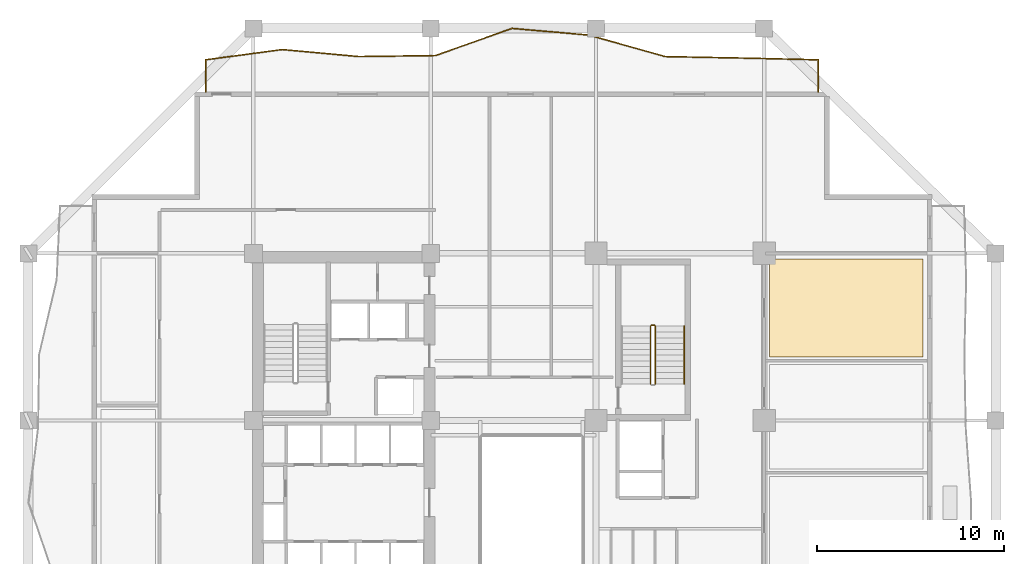
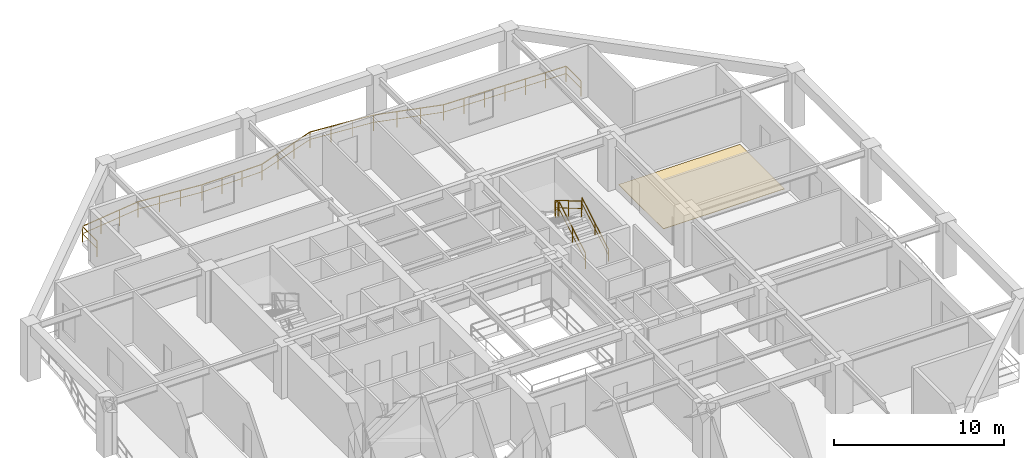
# One storey, part 12 of 13: 5 railings, 1 covering.
"""IFC4 building model written with IfcOpenShell, lengths in metres."""

from ifc_helpers import new_model, si_unit, direction, frame, origin, origin_2d, place, context, subcontext, project, spatial, polyline, rectangle, outline, extrude, material, layer, layer_set, type_object, element, save


model = new_model("IFC4")

# Units and contexts
model_context = context("Model", 3, precision=1e-05, world=origin(), true_north=direction((0.0, 1.0)))
body_context = subcontext(model_context, "Body", "Model", "MODEL_VIEW")
ifc_project = project(units=[si_unit("LENGTHUNIT", "METRE"), si_unit("AREAUNIT", "SQUARE_METRE"), si_unit("VOLUMEUNIT", "CUBIC_METRE"), si_unit("PLANEANGLEUNIT", "RADIAN"), si_unit("MASSUNIT", "GRAM", prefix="KILO")], contexts=[model_context])

# Site, building, storey
site_placement = place(None, origin())
site = spatial("IfcSite", under=ifc_project, at=site_placement, CompositionType="ELEMENT")
building_placement = place(site_placement, origin())
building = spatial("IfcBuilding", under=site, at=building_placement, Name="Kundavana Baori Tower", CompositionType="ELEMENT")
storey_placement = place(building_placement, frame((0.0, 0.0, 58.0)))
storey = spatial("IfcBuildingStorey", under=building, at=storey_placement, Name="L13", CompositionType="ELEMENT", Elevation=58.0)

# Covering
ifc_material_1 = material(Name="Honed Kota Stone and Terrazzo Flooring", Category="masonry")
ifc_layer = layer(ifc_material_1, 0.030029296875, Name="COV-INT-FLR")
ifc_layer_set = layer_set([ifc_layer], Name="Honed Kota Stone and Terrazzo Flooring")
covering_type = type_object("IfcCoveringType", Name="COV-INT-FLR", PredefinedType="FLOORING", material=ifc_layer_set)
covering_placement = place(storey_placement, origin())
element("IfcCovering", 1, at=covering_placement, inside=storey, type_object=covering_type, Name="L13 Room Finished Stone Flooring 11", PredefinedType="FLOORING", context=body_context, shape_type="SweptSolid", body=[
    extrude(outline(polyline([(43.10009765625, 36.39990234375), (51.320068359375, 36.39990234375), (51.320068359375, 41.64990234375), (43.10009765625, 41.64990234375), (43.10009765625, 36.39990234375)])), origin(), (0.0, 0.0, 1.0), 0.030029296875),
])

# Railings
ifc_material_2 = material(Name="Architectural Patinated Bronze Metalwork")
railing_type_1 = type_object("IfcRailingType", Name="RL-BAL-1150", PredefinedType="BALUSTRADE", material=ifc_material_2)
railing_1_placement = place(storey_placement, frame((12.89990234375, 50.60009765625, 0.0)))
element("IfcRailing", 2, at=railing_1_placement, inside=storey, type_object=railing_type_1, Name="L13 Loggia Balcony Balustrade N", PredefinedType="BALUSTRADE", context=body_context, shape_type="SweptSolid", body=[
    extrude(rectangle(XDim=0.048095703125, YDim=0.048095703125, at=origin_2d()), frame((0.0, 0.0, 1.1259765625), z_axis=(0.0, 1.0, 0.0), x_axis=(-1.0, 0.0, 0.0)), (0.0, 0.0, 1.0), 1.719970703125),
    extrude(rectangle(XDim=0.03125, YDim=0.03125, at=origin_2d()), frame((0.0, 0.0, 0.597900390625), z_axis=(0.0, 1.0, 0.0), x_axis=(-1.0, 0.0, 0.0)), (0.0, 0.0, 1.0), 1.719970703125),
    extrude(rectangle(XDim=0.048095703125, YDim=0.048095703125, at=origin_2d()), frame((0.0, 1.719970703125, 1.1259765625), z_axis=(0.991159730328, 0.132673995104, 0.0), x_axis=(-0.132673995104, 0.991159730328, 0.0)), (0.0, 0.0, 1.0), 4.13671875),
    extrude(rectangle(XDim=0.03125, YDim=0.03125, at=origin_2d()), frame((0.0, 1.719970703125, 0.597900390625), z_axis=(0.991159730328, 0.132673995104, 0.0), x_axis=(-0.132673995104, 0.991159730328, 0.0)), (0.0, 0.0, 1.0), 4.13671875),
    extrude(rectangle(XDim=0.048095703125, YDim=0.048095703125, at=origin_2d()), frame((4.10009765625, 2.268798828125, 1.1259765625), z_axis=(0.995843480493, -0.091081075744, 0.0), x_axis=(0.091081075744, 0.995843480493, 0.0)), (0.0, 0.0, 1.0), 4.1171875),
    extrude(rectangle(XDim=0.03125, YDim=0.03125, at=origin_2d()), frame((4.10009765625, 2.268798828125, 0.597900390625), z_axis=(0.995843480493, -0.091081075744, 0.0), x_axis=(0.091081075744, 0.995843480493, 0.0)), (0.0, 0.0, 1.0), 4.1171875),
    extrude(rectangle(XDim=0.048095703125, YDim=0.048095703125, at=origin_2d()), frame((8.2001953125, 1.893798828125, 1.1259765625), z_axis=(0.999915749686, 0.012980505772, 0.0), x_axis=(-0.012980505772, 0.999915749686, 0.0)), (0.0, 0.0, 1.0), 4.10009765625),
    extrude(rectangle(XDim=0.03125, YDim=0.03125, at=origin_2d()), frame((8.2001953125, 1.893798828125, 0.597900390625), z_axis=(0.999915749686, 0.012980505772, 0.0), x_axis=(-0.012980505772, 0.999915749686, 0.0)), (0.0, 0.0, 1.0), 4.10009765625),
    extrude(rectangle(XDim=0.048095703125, YDim=0.048095703125, at=origin_2d()), frame((12.300048828125, 1.947021484375, 1.1259765625), z_axis=(0.942572017492, 0.334002981785, 0.0), x_axis=(-0.334002981785, 0.942572017492, 0.0)), (0.0, 0.0, 1.0), 4.349853515625),
    extrude(rectangle(XDim=0.03125, YDim=0.03125, at=origin_2d()), frame((12.300048828125, 1.947021484375, 0.597900390625), z_axis=(0.942572017492, 0.334002981785, 0.0), x_axis=(-0.334002981785, 0.942572017492, 0.0)), (0.0, 0.0, 1.0), 4.349853515625),
    extrude(rectangle(XDim=0.048095703125, YDim=0.048095703125, at=origin_2d()), frame((16.400146484375, 3.39990234375, 1.1259765625), z_axis=(0.996272576419, -0.086260961479, 0.0), x_axis=(0.086260961479, 0.996272576419, 0.0)), (0.0, 0.0, 1.0), 4.115234375),
    extrude(rectangle(XDim=0.03125, YDim=0.03125, at=origin_2d()), frame((16.400146484375, 3.39990234375, 0.597900390625), z_axis=(0.996272576419, -0.086260961479, 0.0), x_axis=(0.086260961479, 0.996272576419, 0.0)), (0.0, 0.0, 1.0), 4.115234375),
    extrude(rectangle(XDim=0.048095703125, YDim=0.048095703125, at=origin_2d()), frame((20.5, 3.044921875, 1.1259765625), z_axis=(0.962775041991, -0.270303937298, 0.0), x_axis=(0.270303937298, 0.962775041991, 0.0)), (0.0, 0.0, 1.0), 4.258544921875),
    extrude(rectangle(XDim=0.03125, YDim=0.03125, at=origin_2d()), frame((20.5, 3.044921875, 0.597900390625), z_axis=(0.962775041991, -0.270303937298, 0.0), x_axis=(0.270303937298, 0.962775041991, 0.0)), (0.0, 0.0, 1.0), 4.258544921875),
    extrude(rectangle(XDim=0.048095703125, YDim=0.048095703125, at=origin_2d()), frame((24.60009765625, 1.893798828125, 1.1259765625), z_axis=(0.999810489297, -0.01946754972, 0.0), x_axis=(0.01946754972, 0.999810489297, 0.0)), (0.0, 0.0, 1.0), 4.100830078125),
    extrude(rectangle(XDim=0.03125, YDim=0.03125, at=origin_2d()), frame((24.60009765625, 1.893798828125, 0.597900390625), z_axis=(0.999810489297, -0.01946754972, 0.0), x_axis=(0.01946754972, 0.999810489297, 0.0)), (0.0, 0.0, 1.0), 4.100830078125),
    extrude(rectangle(XDim=0.048095703125, YDim=0.048095703125, at=origin_2d()), frame((28.7001953125, 1.81396484375, 1.1259765625), z_axis=(0.99973729779, -0.02292019649, 0.0), x_axis=(0.02292019649, 0.99973729779, 0.0)), (0.0, 0.0, 1.0), 4.100830078125),
    extrude(rectangle(XDim=0.03125, YDim=0.03125, at=origin_2d()), frame((28.7001953125, 1.81396484375, 0.597900390625), z_axis=(0.99973729779, -0.02292019649, 0.0), x_axis=(0.02292019649, 0.99973729779, 0.0)), (0.0, 0.0, 1.0), 4.100830078125),
    extrude(rectangle(XDim=0.048095703125, YDim=0.048095703125, at=origin_2d()), frame((32.800048828125, 1.719970703125, 1.1259765625), z_axis=(0.0, -1.0, 0.0), x_axis=(1.0, 0.0, 0.0)), (0.0, 0.0, 1.0), 1.719970703125),
    extrude(rectangle(XDim=0.03125, YDim=0.03125, at=origin_2d()), frame((32.800048828125, 1.719970703125, 0.597900390625), z_axis=(0.0, -1.0, 0.0), x_axis=(1.0, 0.0, 0.0)), (0.0, 0.0, 1.0), 1.719970703125),
    extrude(rectangle(XDim=0.0419921875, YDim=0.0419921875, at=origin_2d()), origin(), (0.0, 0.0, 1.0), 1.101806640625),
    extrude(rectangle(XDim=0.0419921875, YDim=0.0419921875, at=origin_2d()), frame((0.0, 1.719970703125, 0.0)), (0.0, 0.0, 1.0), 1.101806640625),
    extrude(rectangle(XDim=0.0419921875, YDim=0.0419921875, at=origin_2d()), frame((1.36669921875, 1.90283203125, 0.0)), (0.0, 0.0, 1.0), 1.101806640625),
    extrude(rectangle(XDim=0.0419921875, YDim=0.0419921875, at=origin_2d()), frame((2.7333984375, 2.0859375, 0.0)), (0.0, 0.0, 1.0), 1.101806640625),
    extrude(rectangle(XDim=0.0419921875, YDim=0.0419921875, at=origin_2d()), frame((4.10009765625, 2.268798828125, 0.0)), (0.0, 0.0, 1.0), 1.101806640625),
    extrude(rectangle(XDim=0.0419921875, YDim=0.0419921875, at=origin_2d()), frame((5.466796875, 2.143798828125, 0.0)), (0.0, 0.0, 1.0), 1.101806640625),
    extrude(rectangle(XDim=0.0419921875, YDim=0.0419921875, at=origin_2d()), frame((6.83349609375, 2.018798828125, 0.0)), (0.0, 0.0, 1.0), 1.101806640625),
    extrude(rectangle(XDim=0.0419921875, YDim=0.0419921875, at=origin_2d()), frame((8.2001953125, 1.893798828125, 0.0)), (0.0, 0.0, 1.0), 1.101806640625),
    extrude(rectangle(XDim=0.0419921875, YDim=0.0419921875, at=origin_2d()), frame((9.56689453125, 1.91162109375, 0.0)), (0.0, 0.0, 1.0), 1.101806640625),
    extrude(rectangle(XDim=0.0419921875, YDim=0.0419921875, at=origin_2d()), frame((10.933349609375, 1.92919921875, 0.0)), (0.0, 0.0, 1.0), 1.101806640625),
    extrude(rectangle(XDim=0.0419921875, YDim=0.0419921875, at=origin_2d()), frame((12.300048828125, 1.947021484375, 0.0)), (0.0, 0.0, 1.0), 1.101806640625),
    extrude(rectangle(XDim=0.0419921875, YDim=0.0419921875, at=origin_2d()), frame((13.666748046875, 2.431396484375, 0.0)), (0.0, 0.0, 1.0), 1.101806640625),
    extrude(rectangle(XDim=0.0419921875, YDim=0.0419921875, at=origin_2d()), frame((15.033447265625, 2.91552734375, 0.0)), (0.0, 0.0, 1.0), 1.101806640625),
    extrude(rectangle(XDim=0.0419921875, YDim=0.0419921875, at=origin_2d()), frame((16.400146484375, 3.39990234375, 0.0)), (0.0, 0.0, 1.0), 1.101806640625),
    extrude(rectangle(XDim=0.0419921875, YDim=0.0419921875, at=origin_2d()), frame((17.766845703125, 3.281494140625, 0.0)), (0.0, 0.0, 1.0), 1.101806640625),
    extrude(rectangle(XDim=0.0419921875, YDim=0.0419921875, at=origin_2d()), frame((19.13330078125, 3.163330078125, 0.0)), (0.0, 0.0, 1.0), 1.101806640625),
    extrude(rectangle(XDim=0.0419921875, YDim=0.0419921875, at=origin_2d()), frame((20.5, 3.044921875, 0.0)), (0.0, 0.0, 1.0), 1.101806640625),
    extrude(rectangle(XDim=0.0419921875, YDim=0.0419921875, at=origin_2d()), frame((21.86669921875, 2.6611328125, 0.0)), (0.0, 0.0, 1.0), 1.101806640625),
    extrude(rectangle(XDim=0.0419921875, YDim=0.0419921875, at=origin_2d()), frame((23.2333984375, 2.277587890625, 0.0)), (0.0, 0.0, 1.0), 1.101806640625),
    extrude(rectangle(XDim=0.0419921875, YDim=0.0419921875, at=origin_2d()), frame((24.60009765625, 1.893798828125, 0.0)), (0.0, 0.0, 1.0), 1.101806640625),
    extrude(rectangle(XDim=0.0419921875, YDim=0.0419921875, at=origin_2d()), frame((25.966796875, 1.8671875, 0.0)), (0.0, 0.0, 1.0), 1.101806640625),
    extrude(rectangle(XDim=0.0419921875, YDim=0.0419921875, at=origin_2d()), frame((27.33349609375, 1.840576171875, 0.0)), (0.0, 0.0, 1.0), 1.101806640625),
    extrude(rectangle(XDim=0.0419921875, YDim=0.0419921875, at=origin_2d()), frame((28.7001953125, 1.81396484375, 0.0)), (0.0, 0.0, 1.0), 1.101806640625),
    extrude(rectangle(XDim=0.0419921875, YDim=0.0419921875, at=origin_2d()), frame((30.06689453125, 1.78271484375, 0.0)), (0.0, 0.0, 1.0), 1.101806640625),
    extrude(rectangle(XDim=0.0419921875, YDim=0.0419921875, at=origin_2d()), frame((31.433349609375, 1.751220703125, 0.0)), (0.0, 0.0, 1.0), 1.101806640625),
    extrude(rectangle(XDim=0.0419921875, YDim=0.0419921875, at=origin_2d()), frame((32.800048828125, 1.719970703125, 0.0)), (0.0, 0.0, 1.0), 1.101806640625),
    extrude(rectangle(XDim=0.0419921875, YDim=0.0419921875, at=origin_2d()), frame((32.800048828125, 0.0, 0.0)), (0.0, 0.0, 1.0), 1.101806640625),
])
ifc_material_3 = material(Name="Architectural Patinated Bronze Metalwork")
railing_type_2 = type_object("IfcRailingType", Name="RL-GRD-1150", PredefinedType="GUARDRAIL", material=ifc_material_3)
railing_2_placement = place(storey_placement, frame((36.97998046875, 34.949951171875, 0.181884765625)))
element("IfcRailing", 3, at=railing_2_placement, inside=storey, type_object=railing_type_2, Name="L13 ST3 stair guard 1", PredefinedType="GUARDRAIL", context=body_context, shape_type="SweptSolid", body=[
    extrude(rectangle(XDim=0.048095703125, YDim=0.048095703125, at=origin_2d()), frame((0.0, 0.0, 1.1259765625), z_axis=(0.0, 0.862598821094, 0.505888598258), x_axis=(-1.0, 0.0, 0.0)), (0.0, 0.0, 1.0), 3.593994140625),
    extrude(rectangle(XDim=0.03125, YDim=0.03125, at=origin_2d()), frame((0.0, 0.0, 0.597900390625), z_axis=(0.0, 0.862598821094, 0.505888598258), x_axis=(-1.0, 0.0, 0.0)), (0.0, 0.0, 1.0), 3.593994140625),
    extrude(rectangle(XDim=0.0419921875, YDim=0.0419921875, at=origin_2d()), origin(), (0.0, 0.0, 1.0), 1.101806640625),
    extrude(rectangle(XDim=0.0419921875, YDim=0.0419921875, at=origin_2d()), frame((0.0, 1.550048828125, 0.9091796875)), (0.0, 0.0, 1.0), 1.101806640625),
    extrude(rectangle(XDim=0.0419921875, YDim=0.0419921875, at=origin_2d()), frame((0.0, 3.10009765625, 1.818115234375)), (0.0, 0.0, 1.0), 1.101806640625),
])
railing_3_placement = place(storey_placement, frame((36.929931640625, 38.10009765625, 2.0)))
element("IfcRailing", 4, at=railing_3_placement, inside=storey, type_object=railing_type_2, Name="L13 ST3 stair guard 2", PredefinedType="GUARDRAIL", context=body_context, shape_type="SweptSolid", body=[
    extrude(rectangle(XDim=0.048095703125, YDim=0.048095703125, at=origin_2d()), frame((0.0, 0.0, 1.1259765625), z_axis=(-1.0, 0.0, 0.0), x_axis=(0.0, -1.0, 0.0)), (0.0, 0.0, 1.0), 0.159912109375),
    extrude(rectangle(XDim=0.03125, YDim=0.03125, at=origin_2d()), frame((0.0, 0.0, 0.597900390625), z_axis=(-1.0, 0.0, 0.0), x_axis=(0.0, -1.0, 0.0)), (0.0, 0.0, 1.0), 0.159912109375),
    extrude(rectangle(XDim=0.0419921875, YDim=0.0419921875, at=origin_2d()), origin(), (0.0, 0.0, 1.0), 1.101806640625),
    extrude(rectangle(XDim=0.0419921875, YDim=0.0419921875, at=origin_2d()), frame((-0.159912109375, 0.0, 0.0)), (0.0, 0.0, 1.0), 1.101806640625),
])
railing_4_placement = place(storey_placement, frame((36.719970703125, 38.050048828125, 2.181884765625)))
element("IfcRailing", 5, at=railing_4_placement, inside=storey, type_object=railing_type_2, Name="L13 ST3 stair guard 3", PredefinedType="GUARDRAIL", context=body_context, shape_type="SweptSolid", body=[
    extrude(rectangle(XDim=0.048095703125, YDim=0.048095703125, at=origin_2d()), frame((0.0, 0.0, 1.1259765625), z_axis=(0.0, -0.862598821094, 0.505888598258), x_axis=(1.0, 0.0, 0.0)), (0.0, 0.0, 1.0), 3.593994140625),
    extrude(rectangle(XDim=0.03125, YDim=0.03125, at=origin_2d()), frame((0.0, 0.0, 0.597900390625), z_axis=(0.0, -0.862598821094, 0.505888598258), x_axis=(1.0, 0.0, 0.0)), (0.0, 0.0, 1.0), 3.593994140625),
    extrude(rectangle(XDim=0.0419921875, YDim=0.0419921875, at=origin_2d()), origin(), (0.0, 0.0, 1.0), 1.101806640625),
    extrude(rectangle(XDim=0.0419921875, YDim=0.0419921875, at=origin_2d()), frame((0.0, -1.550048828125, 0.9091796875)), (0.0, 0.0, 1.0), 1.101806640625),
    extrude(rectangle(XDim=0.0419921875, YDim=0.0419921875, at=origin_2d()), frame((0.0, -3.10009765625, 1.818115234375)), (0.0, 0.0, 1.0), 1.101806640625),
])
ifc_material_4 = material(Name="Architectural Patinated Bronze Metalwork")
railing_type_3 = type_object("IfcRailingType", Name="RL-HND-920", PredefinedType="HANDRAIL", material=ifc_material_4)
railing_5_placement = place(storey_placement, frame((38.530029296875, 34.949951171875, 0.181884765625)))
element("IfcRailing", 6, at=railing_5_placement, inside=storey, type_object=railing_type_3, Name="L13 ST3 stair handrail 1", PredefinedType="HANDRAIL", context=body_context, shape_type="SweptSolid", body=[
    extrude(rectangle(XDim=0.048095703125, YDim=0.048095703125, at=origin_2d()), frame((0.0, 0.0, 0.8759765625), z_axis=(0.0, 0.862598821094, 0.505888598258), x_axis=(-1.0, 0.0, 0.0)), (0.0, 0.0, 1.0), 3.593994140625),
    extrude(rectangle(XDim=0.03125, YDim=0.03125, at=origin_2d()), frame((0.0, 0.0, 0.468017578125), z_axis=(0.0, 0.862598821094, 0.505888598258), x_axis=(-1.0, 0.0, 0.0)), (0.0, 0.0, 1.0), 3.593994140625),
    extrude(rectangle(XDim=0.0419921875, YDim=0.0419921875, at=origin_2d()), origin(), (0.0, 0.0, 1.0), 0.851806640625),
    extrude(rectangle(XDim=0.0419921875, YDim=0.0419921875, at=origin_2d()), frame((0.0, 1.550048828125, 0.9091796875)), (0.0, 0.0, 1.0), 0.851806640625),
    extrude(rectangle(XDim=0.0419921875, YDim=0.0419921875, at=origin_2d()), frame((0.0, 3.10009765625, 1.818115234375)), (0.0, 0.0, 1.0), 0.851806640625),
])

save(model, "model.ifc")
